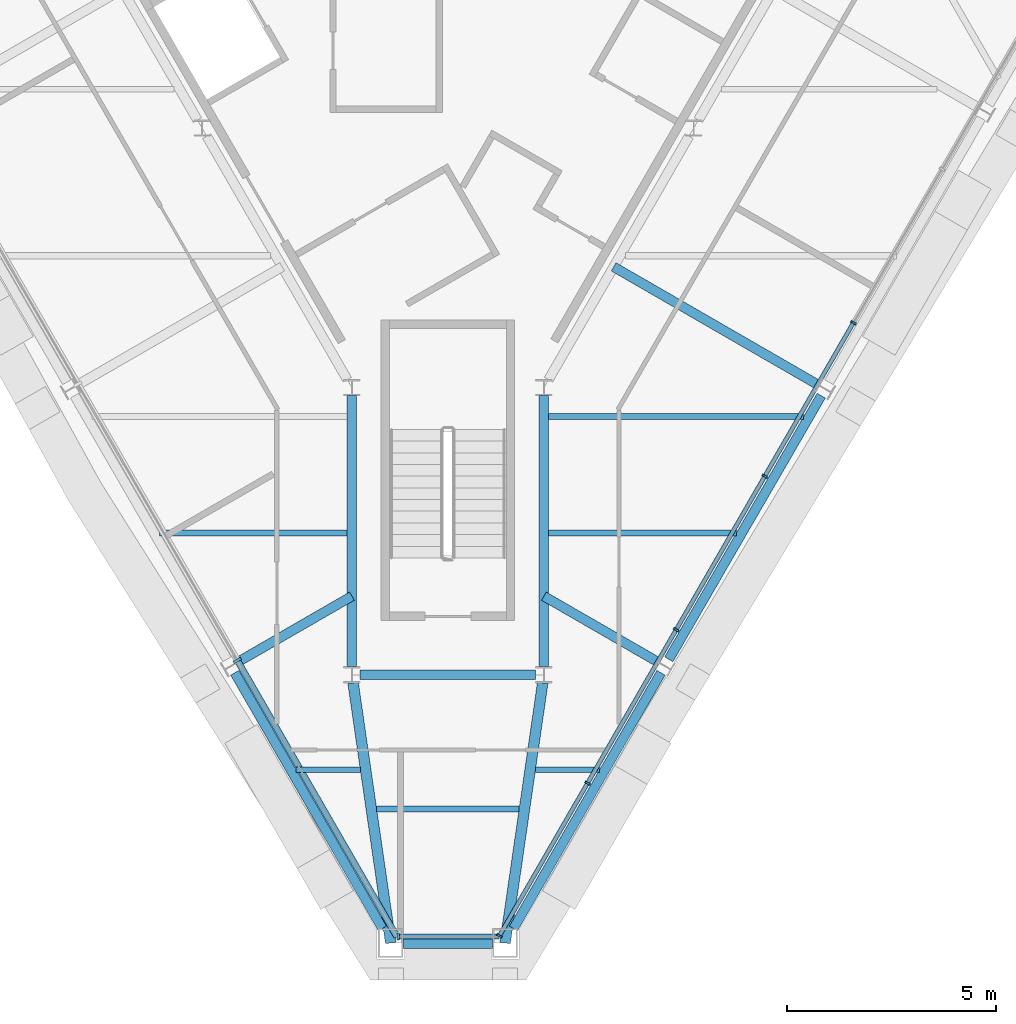
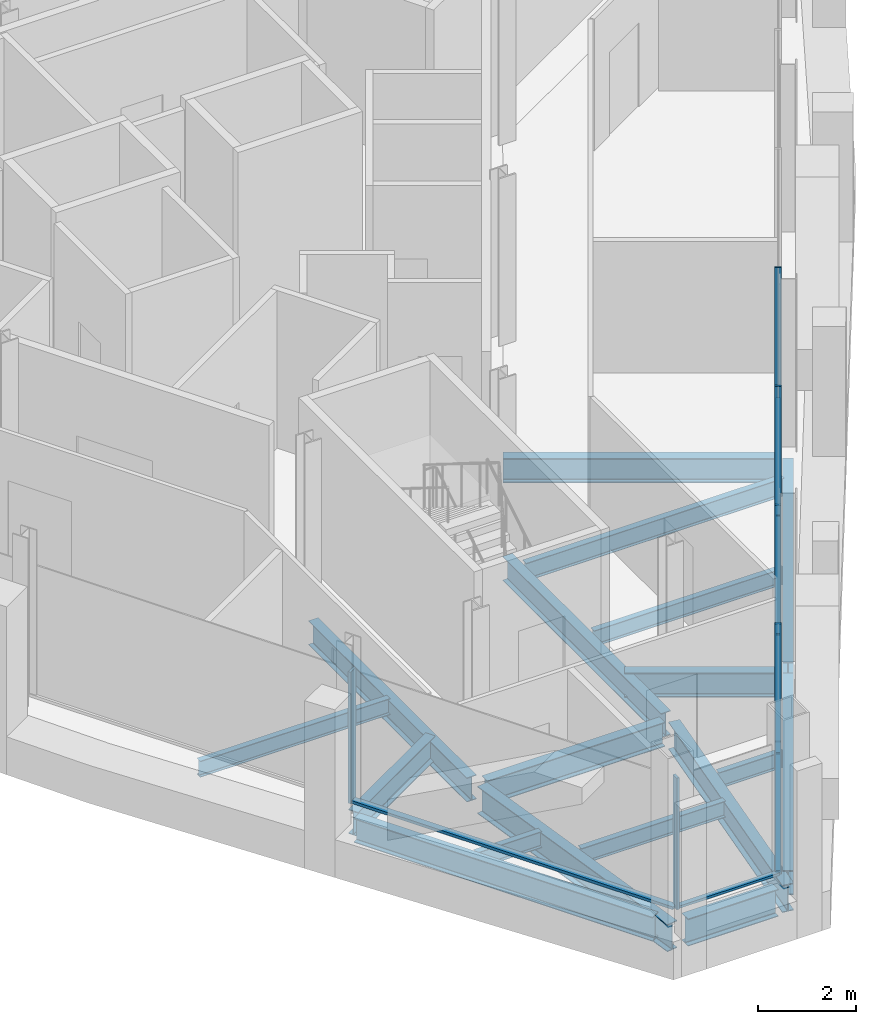
# One storey, part 3 of 13: 18 beams, 13 members, 3 elements without a shape of their own.
"""IFC4 building model written with IfcOpenShell, lengths in metres."""

from ifc_helpers import new_model, si_unit, direction, frame, origin, origin_2d, place, context, subcontext, project, spatial, rectangle, i_section, extrude, material, material_profile, profile_set, type_object, element, aggregate, save


model = new_model("IFC4")

# Units and contexts
model_context = context("Model", 3, precision=1e-05, world=origin(), true_north=direction((0.0, 1.0)))
body_context = subcontext(model_context, "Body", "Model", "MODEL_VIEW")
ifc_project = project(units=[si_unit("LENGTHUNIT", "METRE"), si_unit("AREAUNIT", "SQUARE_METRE"), si_unit("VOLUMEUNIT", "CUBIC_METRE"), si_unit("PLANEANGLEUNIT", "RADIAN"), si_unit("MASSUNIT", "GRAM", prefix="KILO")], contexts=[model_context])

# Site, building, storey
site_placement = place(None, origin())
site = spatial("IfcSite", under=ifc_project, at=site_placement, CompositionType="ELEMENT")
building_placement = place(site_placement, origin())
building = spatial("IfcBuilding", under=site, at=building_placement, Name="Verrane Prism Tower", CompositionType="ELEMENT")
storey_placement = place(building_placement, frame((0.0, 0.0, 316.800048828125)))
storey = spatial("IfcBuildingStorey", under=building, at=storey_placement, Name="L80", CompositionType="ELEMENT", Elevation=316.800048828125)

# Beams
ifc_material_1 = material(Name="Steel A992", Category="steel")
ifc_material_profile_1 = material_profile(ifc_material_1, i_section(OverallWidth=0.25390625, OverallDepth=0.683349609375, WebThickness=0.012451171875, FlangeThickness=0.01904296875, FilletRadius=0.01513671875, at=origin_2d()), Name="W27x94")
ifc_profile_set_1 = profile_set([ifc_material_profile_1], Name="Steel A992")
beam_type_1 = type_object("IfcBeamType", Name="Chamfer spandrel beam W27x94", PredefinedType="SPANDREL", material=ifc_profile_set_1)
beam_1_placement = place(storey_placement, frame((-1.070068359375, -22.929931640625, -0.501708984375), z_axis=(1.0, 0.0, 0.0), x_axis=(0.0, 1.0, 0.0)))
element("IfcBeam", 1, at=beam_1_placement, inside=storey, type_object=beam_type_1, Name="Chamfer spandrel beam L80", PredefinedType="SPANDREL", context=body_context, shape_type="SweptSolid", body=[
    extrude(i_section(OverallWidth=0.25390625, OverallDepth=0.683349609375, WebThickness=0.012451171875, FlangeThickness=0.01904296875, FilletRadius=0.01513671875, at=origin_2d()), origin(), (0.0, 0.0, 1.0), 2.14013671875),
])
ifc_material_2 = material(Name="Steel A992", Category="steel")
ifc_material_profile_2 = material_profile(ifc_material_2, i_section(OverallWidth=0.228271484375, OverallDepth=0.607177734375, WebThickness=0.01123046875, FlangeThickness=0.017333984375, FilletRadius=0.0126953125, at=origin_2d()), Name="W24x76")
ifc_profile_set_2 = profile_set([ifc_material_profile_2], Name="Steel A992")
beam_type_2 = type_object("IfcBeamType", Name="Core ring girder W24x76", PredefinedType="BEAM", material=ifc_profile_set_2)
beam_2_placement = place(storey_placement, frame((-2.300048828125, -9.81298828125, -0.553466796875), z_axis=(0.0, -1.0, 0.0), x_axis=(1.0, 0.0, 0.0)))
element("IfcBeam", 2, at=beam_2_placement, inside=storey, type_object=beam_type_2, Name="Core ring girder L80", PredefinedType="BEAM", context=body_context, shape_type="SweptSolid", body=[
    extrude(i_section(OverallWidth=0.228271484375, OverallDepth=0.607177734375, WebThickness=0.01123046875, FlangeThickness=0.017333984375, FilletRadius=0.0126953125, at=origin_2d()), origin(), (0.0, 0.0, 1.0), 6.493896484375),
])
beam_3_placement = place(storey_placement, frame((-2.1005859375, -16.5, -0.553466796875), z_axis=(1.0, 0.0, 0.0), x_axis=(0.0, 1.0, 0.0)))
element("IfcBeam", 3, at=beam_3_placement, inside=storey, type_object=beam_type_2, Name="Core ring girder L80", PredefinedType="BEAM", context=body_context, shape_type="SweptSolid", body=[
    extrude(i_section(OverallWidth=0.228271484375, OverallDepth=0.607177734375, WebThickness=0.01123046875, FlangeThickness=0.017333984375, FilletRadius=0.0126953125, at=origin_2d()), origin(), (0.0, 0.0, 1.0), 4.201171875),
])
beam_4_placement = place(storey_placement, frame((2.300048828125, -16.306884765625, -0.553466796875), z_axis=(0.0, 1.0, 0.0), x_axis=(-1.0, 0.0, 0.0)))
element("IfcBeam", 4, at=beam_4_placement, inside=storey, type_object=beam_type_2, Name="Core ring girder L80", PredefinedType="BEAM", context=body_context, shape_type="SweptSolid", body=[
    extrude(i_section(OverallWidth=0.228271484375, OverallDepth=0.607177734375, WebThickness=0.01123046875, FlangeThickness=0.017333984375, FilletRadius=0.0126953125, at=origin_2d()), origin(), (0.0, 0.0, 1.0), 6.493896484375),
])
ifc_material_3 = material(Name="Steel A992", Category="steel")
ifc_material_profile_3 = material_profile(ifc_material_3, i_section(OverallWidth=0.25390625, OverallDepth=0.683349609375, WebThickness=0.012451171875, FlangeThickness=0.01904296875, FilletRadius=0.01513671875, at=origin_2d()), Name="W27x94")
ifc_profile_set_3 = profile_set([ifc_material_profile_3], Name="Steel A992")
beam_type_3 = type_object("IfcBeamType", Name="Corner girder W27x94", PredefinedType="BEAM", material=ifc_profile_set_3)
beam_5_placement = place(storey_placement, frame((-1.37060546875, -22.926513671875, -0.561767578125), z_axis=(-0.143152302146, 0.989700671107, 0.0), x_axis=(-0.989700671107, -0.143152302146, 0.0)))
element("IfcBeam", 5, at=beam_5_placement, inside=storey, type_object=beam_type_3, Name="Corner girder L80", PredefinedType="BEAM", context=body_context, shape_type="SweptSolid", body=[
    extrude(i_section(OverallWidth=0.25390625, OverallDepth=0.683349609375, WebThickness=0.012451171875, FlangeThickness=0.01904296875, FilletRadius=0.01513671875, at=origin_2d()), origin(), (0.0, 0.0, 1.0), 6.29833984375),
])
beam_6_placement = place(storey_placement, frame((1.37060546875, -22.92626953125, -0.561767578125), z_axis=(0.143157794237, 0.989699876705, 0.0), x_axis=(-0.989699876705, 0.143157794237, 0.0)))
element("IfcBeam", 6, at=beam_6_placement, inside=storey, type_object=beam_type_3, Name="Corner girder L80", PredefinedType="BEAM", context=body_context, shape_type="SweptSolid", body=[
    extrude(i_section(OverallWidth=0.25390625, OverallDepth=0.683349609375, WebThickness=0.012451171875, FlangeThickness=0.01904296875, FilletRadius=0.01513671875, at=origin_2d()), origin(), (0.0, 0.0, 1.0), 6.298095703125),
])
ifc_material_4 = material(Name="Steel A992", Category="steel")
ifc_material_profile_4 = material_profile(ifc_material_4, i_section(OverallWidth=0.140380859375, OverallDepth=0.40380859375, WebThickness=0.007080078125, FlangeThickness=0.01123046875, FilletRadius=0.01025390625, at=origin_2d()), Name="W16x31")
ifc_profile_set_4 = profile_set([ifc_material_profile_4], Name="Steel A992")
beam_type_4 = type_object("IfcBeamType", Name="Floor beam W16x31", PredefinedType="BEAM", material=ifc_profile_set_4)
beam_7_placement = place(storey_placement, frame((-6.9130859375, -13.10009765625, -0.362060546875), z_axis=(1.0, 0.0, 0.0), x_axis=(0.0, 1.0, 0.0)))
element("IfcBeam", 7, at=beam_7_placement, inside=storey, type_object=beam_type_4, Name="Floor beam L80", PredefinedType="BEAM", context=body_context, shape_type="SweptSolid", body=[
    extrude(i_section(OverallWidth=0.140380859375, OverallDepth=0.40380859375, WebThickness=0.007080078125, FlangeThickness=0.01123046875, FilletRadius=0.01025390625, at=origin_2d()), origin(), (0.0, 0.0, 1.0), 4.4990234375),
])
for number, where, z_axis, x_axis, name in (
    (8, (-3.635009765625, -18.77490234375, -0.362060546875), (1.0, 0.0, 0.0), (0.0, 1.0, 0.0), "Floor beam L80"),
    (9, (2.099365234375, -18.77490234375, -0.362060546875), (1.0, 0.0, 0.0), (0.0, 1.0, 0.0), "Floor beam L80"),
):
    element("IfcBeam", number, at=place(storey_placement, frame(where, z_axis=z_axis, x_axis=x_axis)), inside=storey, type_object=beam_type_4, Name=name, PredefinedType="BEAM", context=body_context, shape_type="SweptSolid", body=[
        extrude(i_section(OverallWidth=0.140380859375, OverallDepth=0.40380859375, WebThickness=0.007080078125, FlangeThickness=0.01123046875, FilletRadius=0.01025390625, at=origin_2d()), origin(), (0.0, 0.0, 1.0), 1.53564453125),
    ])
beam_8_placement = place(storey_placement, frame((2.4140625, -13.10009765625, -0.362060546875), z_axis=(1.0, 0.0, 0.0), x_axis=(0.0, 1.0, 0.0)))
element("IfcBeam", 10, at=beam_8_placement, inside=storey, type_object=beam_type_4, Name="Floor beam L80", PredefinedType="BEAM", context=body_context, shape_type="SweptSolid", body=[
    extrude(i_section(OverallWidth=0.140380859375, OverallDepth=0.40380859375, WebThickness=0.007080078125, FlangeThickness=0.01123046875, FilletRadius=0.01025390625, at=origin_2d()), origin(), (0.0, 0.0, 1.0), 4.4990234375),
])
beam_9_placement = place(storey_placement, frame((-1.706787109375, -19.715087890625, -0.362060546875), z_axis=(1.0, 0.0, 0.0), x_axis=(0.0, 1.0, 0.0)))
element("IfcBeam", 11, at=beam_9_placement, inside=storey, type_object=beam_type_4, Name="Floor beam L80", PredefinedType="BEAM", context=body_context, shape_type="SweptSolid", body=[
    extrude(i_section(OverallWidth=0.140380859375, OverallDepth=0.40380859375, WebThickness=0.007080078125, FlangeThickness=0.01123046875, FilletRadius=0.01025390625, at=origin_2d()), origin(), (0.0, 0.0, 1.0), 3.41357421875),
])
ifc_material_5 = material(Name="Steel A992", Category="steel")
ifc_material_profile_5 = material_profile(ifc_material_5, i_section(OverallWidth=0.15234375, OverallDepth=0.449462890625, WebThickness=0.007568359375, FlangeThickness=0.0107421875, FilletRadius=0.01025390625, at=origin_2d()), Name="W18x35")
ifc_profile_set_5 = profile_set([ifc_material_profile_5], Name="Steel A992")
beam_type_5 = type_object("IfcBeamType", Name="Floor beam W18x35", PredefinedType="BEAM", material=ifc_profile_set_5)
beam_10_placement = place(storey_placement, frame((2.4140625, -10.31005859375, -0.384765625), z_axis=(1.0, 0.0, 0.0), x_axis=(0.0, 1.0, 0.0)))
element("IfcBeam", 12, at=beam_10_placement, inside=storey, type_object=beam_type_5, Name="Floor beam L80", PredefinedType="BEAM", context=body_context, shape_type="SweptSolid", body=[
    extrude(i_section(OverallWidth=0.15234375, OverallDepth=0.449462890625, WebThickness=0.007568359375, FlangeThickness=0.0107421875, FilletRadius=0.01025390625, at=origin_2d()), origin(), (0.0, 0.0, 1.0), 6.112548828125),
])

# Curtain wall, members
ifc_material_6 = material(Name="Aluminium framed insulated glazing", Category="aluminium")
curtain_wall_type_1 = type_object("IfcCurtainWallType", Name="Curtain wall CW-C 4200 module", PredefinedType="NOTDEFINED", material=ifc_material_6)
curtain_wall_1_placement = place(storey_placement, origin())
curtain_wall_1 = element("IfcCurtainWall", 13, at=curtain_wall_1_placement, inside=storey, type_object=curtain_wall_type_1, Name="Glazed curtain wall south-east face L80", PredefinedType="NOTDEFINED")
ifc_material_7 = material(Name="Aluminium alloy 6063-T6", Category="aluminium")
ifc_material_profile_6 = material_profile(ifc_material_7, rectangle(XDim=0.139892578125, YDim=0.050048828125, at=origin_2d()), Name="Mullion 50x140 aluminium")
ifc_profile_set_6 = profile_set([ifc_material_profile_6], Name="Aluminium alloy 6063-T6")
member_type_1 = type_object("IfcMemberType", Name="Mullion 50x140 aluminium", PredefinedType="MULLION", material=ifc_profile_set_6)
member_1_placement = place(storey_placement, frame((1.235107421875, -22.755126953125, 0.0), z_axis=(0.0, 0.0, 1.0), x_axis=(-0.866025278644, 0.500000216749, 0.0)))
member_1 = element("IfcMember", 14, at=member_1_placement, type_object=member_type_1, Name="CW80.6 mullion 1", PredefinedType="MULLION", context=body_context, shape_type="SweptSolid", body=[
    extrude(rectangle(XDim=0.139892578125, YDim=0.050048828125, at=origin_2d()), origin(), (0.0, 0.0, 1.0), 3.296630859375),
])
member_2_placement = place(storey_placement, frame((3.346435546875, -19.098388671875, 0.0), z_axis=(0.0, 0.0, 1.0), x_axis=(-0.866025278644, 0.500000216749, 0.0)))
member_2 = element("IfcMember", 15, at=member_2_placement, type_object=member_type_1, Name="CW80.6 mullion 2", PredefinedType="MULLION", context=body_context, shape_type="SweptSolid", body=[
    extrude(rectangle(XDim=0.139892578125, YDim=0.050048828125, at=origin_2d()), origin(), (0.0, 0.0, 1.0), 3.296630859375),
])
member_3_placement = place(storey_placement, frame((5.47021484375, -15.419921875, 0.0), z_axis=(0.0, 0.0, 1.0), x_axis=(-0.866025278644, 0.500000216749, 0.0)))
member_3 = element("IfcMember", 16, at=member_3_placement, type_object=member_type_1, Name="CW80.6 mullion 3", PredefinedType="MULLION", context=body_context, shape_type="SweptSolid", body=[
    extrude(rectangle(XDim=0.139892578125, YDim=0.050048828125, at=origin_2d()), origin(), (0.0, 0.0, 1.0), 3.296630859375),
])
member_4_placement = place(storey_placement, frame((7.593994140625, -11.741455078125, 0.0), z_axis=(0.0, 0.0, 1.0), x_axis=(-0.866025278644, 0.500000216749, 0.0)))
member_4 = element("IfcMember", 17, at=member_4_placement, type_object=member_type_1, Name="CW80.6 mullion 4", PredefinedType="MULLION", context=body_context, shape_type="SweptSolid", body=[
    extrude(rectangle(XDim=0.139892578125, YDim=0.050048828125, at=origin_2d()), origin(), (0.0, 0.0, 1.0), 3.296630859375),
])
member_5_placement = place(storey_placement, frame((9.7177734375, -8.062744140625, 0.0), z_axis=(0.0, 0.0, 1.0), x_axis=(-0.866025278644, 0.500000216749, 0.0)))
member_5 = element("IfcMember", 18, at=member_5_placement, type_object=member_type_1, Name="CW80.6 mullion 5", PredefinedType="MULLION", context=body_context, shape_type="SweptSolid", body=[
    extrude(rectangle(XDim=0.139892578125, YDim=0.050048828125, at=origin_2d()), origin(), (0.0, 0.0, 1.0), 3.296630859375),
])

# Curtain wall, member
ifc_material_8 = material(Name="Aluminium framed insulated glazing", Category="aluminium")
curtain_wall_type_2 = type_object("IfcCurtainWallType", Name="Curtain wall CW-B 5600 module", PredefinedType="NOTDEFINED", material=ifc_material_8)
curtain_wall_2_placement = place(storey_placement, origin())
curtain_wall_2 = element("IfcCurtainWall", 19, at=curtain_wall_2_placement, inside=storey, type_object=curtain_wall_type_2, Name="Glazed curtain wall south corner L80", PredefinedType="NOTDEFINED")
ifc_material_9 = material(Name="Aluminium alloy 6063-T6", Category="aluminium")
ifc_material_profile_7 = material_profile(ifc_material_9, rectangle(XDim=0.159912109375, YDim=0.06005859375, at=origin_2d()), Name="Mullion 60x160 aluminium")
ifc_profile_set_7 = profile_set([ifc_material_profile_7], Name="Aluminium alloy 6063-T6")
member_type_2 = type_object("IfcMemberType", Name="Mullion 60x160 aluminium", PredefinedType="MULLION", material=ifc_profile_set_7)
member_6_placement = place(storey_placement, frame((-1.192626953125, -22.77685546875, 0.0), z_axis=(0.0, 0.0, 1.0), x_axis=(0.0, 1.0, 0.0)))
member_6 = element("IfcMember", 20, at=member_6_placement, type_object=member_type_2, Name="CW80.5 mullion 1", PredefinedType="MULLION", context=body_context, shape_type="SweptSolid", body=[
    extrude(rectangle(XDim=0.159912109375, YDim=0.06005859375, at=origin_2d()), origin(), (0.0, 0.0, 1.0), 3.296630859375),
])

ifc_material_10 = material(Name="Aluminium framed insulated glazing", Category="aluminium")
curtain_wall_type_3 = type_object("IfcCurtainWallType", Name="Curtain wall CW-A 8400 module", PredefinedType="NOTDEFINED", material=ifc_material_10)
curtain_wall_3_placement = place(storey_placement, origin())
curtain_wall_3 = element("IfcCurtainWall", 21, at=curtain_wall_3_placement, inside=storey, type_object=curtain_wall_type_3, Name="Glazed curtain wall south-west face L80", PredefinedType="NOTDEFINED")
ifc_material_11 = material(Name="Aluminium alloy 6063-T6", Category="aluminium")
ifc_material_profile_8 = material_profile(ifc_material_11, rectangle(XDim=0.199951171875, YDim=0.070068359375, at=origin_2d()), Name="Mullion 70x200 aluminium")
ifc_profile_set_8 = profile_set([ifc_material_profile_8], Name="Aluminium alloy 6063-T6")
member_type_3 = type_object("IfcMemberType", Name="Mullion 70x200 aluminium", PredefinedType="MULLION", material=ifc_profile_set_8)
member_7_placement = place(storey_placement, frame((-5.04541015625, -16.155517578125, 0.0), z_axis=(0.0, 0.0, 1.0), x_axis=(0.866025278644, 0.500000216749, 0.0)))
member_7 = element("IfcMember", 22, at=member_7_placement, type_object=member_type_3, Name="CW80.4 mullion 5", PredefinedType="MULLION", context=body_context, shape_type="SweptSolid", body=[
    extrude(rectangle(XDim=0.199951171875, YDim=0.070068359375, at=origin_2d()), origin(), (0.0, 0.0, 1.0), 3.296630859375),
])

# Beams
ifc_material_12 = material(Name="Steel A992", Category="steel")
ifc_material_profile_9 = material_profile(ifc_material_12, i_section(OverallWidth=0.228271484375, OverallDepth=0.607177734375, WebThickness=0.01123046875, FlangeThickness=0.017333984375, FilletRadius=0.0126953125, at=origin_2d()), Name="W24x76")
ifc_profile_set_9 = profile_set([ifc_material_profile_9], Name="Steel A992")
beam_type_6 = type_object("IfcBeamType", Name="Radial girder W24x76", PredefinedType="BEAM", material=ifc_profile_set_9)
for number, where, z_axis, x_axis, name in (
    (23, (-5.04052734375, -16.197998046875, -0.5234375), (0.866017278078, 0.500014073873, 0.0), (-0.500014073873, 0.866017278078, 0.0), "Radial girder L80"),
    (24, (5.04052734375, -16.197998046875, -0.5234375), (-0.866017278078, 0.500014073873, 0.0), (-0.500014073873, -0.866017278078, 0.0), "Radial girder L80"),
):
    element("IfcBeam", number, at=place(storey_placement, frame(where, z_axis=z_axis, x_axis=x_axis)), inside=storey, type_object=beam_type_6, Name=name, PredefinedType="BEAM", context=body_context, shape_type="SweptSolid", body=[
        extrude(i_section(OverallWidth=0.228271484375, OverallDepth=0.607177734375, WebThickness=0.01123046875, FlangeThickness=0.017333984375, FilletRadius=0.0126953125, at=origin_2d()), origin(), (0.0, 0.0, 1.0), 3.16455078125),
    ])
beam_11_placement = place(storey_placement, frame((8.880615234375, -9.557861328125, -0.5234375), z_axis=(-0.866039985572, 0.499974742752, 0.0), x_axis=(-0.499974742752, -0.866039985572, 0.0)))
element("IfcBeam", 25, at=beam_11_placement, inside=storey, type_object=beam_type_6, Name="Radial girder L80", PredefinedType="BEAM", context=body_context, shape_type="SweptSolid", body=[
    extrude(i_section(OverallWidth=0.228271484375, OverallDepth=0.607177734375, WebThickness=0.01123046875, FlangeThickness=0.017333984375, FilletRadius=0.0126953125, at=origin_2d()), origin(), (0.0, 0.0, 1.0), 5.668212890625),
])
ifc_material_13 = material(Name="Steel A992", Category="steel")
ifc_material_profile_10 = material_profile(ifc_material_13, i_section(OverallWidth=0.228271484375, OverallDepth=0.607177734375, WebThickness=0.01123046875, FlangeThickness=0.017333984375, FilletRadius=0.0126953125, at=origin_2d()), Name="W24x76")
ifc_profile_set_10 = profile_set([ifc_material_profile_10], Name="Steel A992")
beam_type_7 = type_object("IfcBeamType", Name="Spandrel beam W24x76", PredefinedType="SPANDREL", material=ifc_profile_set_10)
for number, where, z_axis, x_axis, name in (
    (26, (-5.106689453125, -16.45166015625, -0.463623046875), (0.49962087648, -0.866244180232, 0.0), (0.866244180232, 0.49962087648, 0.0), "Spandrel beam L80"),
    (27, (1.572021484375, -22.580078125, -0.463623046875), (0.49962087648, 0.866244180232, 0.0), (-0.866244180232, 0.49962087648, 0.0), "Spandrel beam L80"),
):
    element("IfcBeam", number, at=place(storey_placement, frame(where, z_axis=z_axis, x_axis=x_axis)), inside=storey, type_object=beam_type_7, Name=name, PredefinedType="SPANDREL", context=body_context, shape_type="SweptSolid", body=[
        extrude(i_section(OverallWidth=0.228271484375, OverallDepth=0.607177734375, WebThickness=0.01123046875, FlangeThickness=0.017333984375, FilletRadius=0.0126953125, at=origin_2d()), origin(), (0.0, 0.0, 1.0), 7.07470703125),
    ])
beam_12_placement = place(storey_placement, frame((5.29345703125, -16.12841796875, -0.463623046875), z_axis=(0.50061813753, 0.865668227658, 0.0), x_axis=(-0.865668227658, 0.50061813753, 0.0)))
element("IfcBeam", 28, at=beam_12_placement, inside=storey, type_object=beam_type_7, Name="Spandrel beam L80", PredefinedType="SPANDREL", context=body_context, shape_type="SweptSolid", body=[
    extrude(i_section(OverallWidth=0.228271484375, OverallDepth=0.607177734375, WebThickness=0.01123046875, FlangeThickness=0.017333984375, FilletRadius=0.0126953125, at=origin_2d()), origin(), (0.0, 0.0, 1.0), 7.297119140625),
])

# Member
ifc_material_14 = material(Name="Aluminium alloy 6063-T6", Category="aluminium")
ifc_material_profile_11 = material_profile(ifc_material_14, rectangle(XDim=0.10009765625, YDim=0.050048828125, at=origin_2d()), Name="Transom 50x100 aluminium")
ifc_profile_set_11 = profile_set([ifc_material_profile_11], Name="Aluminium alloy 6063-T6")
member_type_4 = type_object("IfcMemberType", Name="Transom 50x100 aluminium", PredefinedType="USERDEFINED", material=ifc_profile_set_11)
member_8_placement = place(storey_placement, frame((1.24755859375, -22.7333984375, 0.02490234375), z_axis=(0.500028026075, 0.866009222318, 0.0), x_axis=(-0.866009222318, 0.500028026075, 0.0)))
member_8 = element("IfcMember", 29, at=member_8_placement, type_object=member_type_4, Name="CW80.6 transom 1", ObjectType="TRANSOM", PredefinedType="USERDEFINED", context=body_context, shape_type="SweptSolid", body=[
    extrude(rectangle(XDim=0.10009765625, YDim=0.050048828125, at=origin_2d()), origin(), (0.0, 0.0, 1.0), 4.172607421875),
])

member_9_placement = place(storey_placement, frame((3.35888671875, -19.07666015625, 0.02490234375), z_axis=(0.500011101102, 0.866018994465, 0.0), x_axis=(-0.866018994465, 0.500011101102, 0.0)))
member_9 = element("IfcMember", 30, at=member_9_placement, type_object=member_type_4, Name="CW80.6 transom 2", ObjectType="TRANSOM", PredefinedType="USERDEFINED", context=body_context, shape_type="SweptSolid", body=[
    extrude(rectangle(XDim=0.10009765625, YDim=0.050048828125, at=origin_2d()), origin(), (0.0, 0.0, 1.0), 4.19775390625),
])

member_10_placement = place(storey_placement, frame((5.482666015625, -15.398193359375, 0.02490234375), z_axis=(0.500011101102, 0.866018994465, 0.0), x_axis=(-0.866018994465, 0.500011101102, 0.0)))
member_10 = element("IfcMember", 31, at=member_10_placement, type_object=member_type_4, Name="CW80.6 transom 3", ObjectType="TRANSOM", PredefinedType="USERDEFINED", context=body_context, shape_type="SweptSolid", body=[
    extrude(rectangle(XDim=0.10009765625, YDim=0.050048828125, at=origin_2d()), origin(), (0.0, 0.0, 1.0), 4.19775390625),
])

member_11_placement = place(storey_placement, frame((7.6064453125, -11.7197265625, 0.02490234375), z_axis=(0.500011101102, 0.866018994465, 0.0), x_axis=(-0.866018994465, 0.500011101102, 0.0)))
member_11 = element("IfcMember", 32, at=member_11_placement, type_object=member_type_4, Name="CW80.6 transom 4", ObjectType="TRANSOM", PredefinedType="USERDEFINED", context=body_context, shape_type="SweptSolid", body=[
    extrude(rectangle(XDim=0.10009765625, YDim=0.050048828125, at=origin_2d()), origin(), (0.0, 0.0, 1.0), 4.19775390625),
])

aggregate(curtain_wall_1, [member_1, member_2, member_3, member_4, member_5, member_8, member_9, member_10, member_11])

ifc_material_15 = material(Name="Aluminium alloy 6063-T6", Category="aluminium")
ifc_material_profile_12 = material_profile(ifc_material_15, rectangle(XDim=0.1201171875, YDim=0.06005859375, at=origin_2d()), Name="Transom 60x120 aluminium")
ifc_profile_set_12 = profile_set([ifc_material_profile_12], Name="Aluminium alloy 6063-T6")
member_type_5 = type_object("IfcMemberType", Name="Transom 60x120 aluminium", PredefinedType="USERDEFINED", material=ifc_profile_set_12)
member_12_placement = place(storey_placement, frame((-1.16259765625, -22.77685546875, 0.030029296875), z_axis=(1.0, 0.0, 0.0), x_axis=(0.0, 1.0, 0.0)))
member_12 = element("IfcMember", 33, at=member_12_placement, type_object=member_type_5, Name="CW80.5 transom 1", ObjectType="TRANSOM", PredefinedType="USERDEFINED", context=body_context, shape_type="SweptSolid", body=[
    extrude(rectangle(XDim=0.1201171875, YDim=0.06005859375, at=origin_2d()), origin(), (0.0, 0.0, 1.0), 2.38525390625),
])

aggregate(curtain_wall_2, [member_6, member_12])

ifc_material_16 = material(Name="Aluminium alloy 6063-T6", Category="aluminium")
ifc_material_profile_13 = material_profile(ifc_material_16, rectangle(XDim=0.14990234375, YDim=0.070068359375, at=origin_2d()), Name="Transom 70x150 aluminium")
ifc_profile_set_13 = profile_set([ifc_material_profile_13], Name="Aluminium alloy 6063-T6")
member_type_6 = type_object("IfcMemberType", Name="Transom 70x150 aluminium", PredefinedType="USERDEFINED", material=ifc_profile_set_13)
member_13_placement = place(storey_placement, frame((-5.02783203125, -16.185791015625, 0.034912109375), z_axis=(0.49998255174, -0.866035477308, 0.0), x_axis=(0.866035477308, 0.49998255174, 0.0)))
member_13 = element("IfcMember", 34, at=member_13_placement, type_object=member_type_6, Name="CW80.4 transom 5", ObjectType="TRANSOM", PredefinedType="USERDEFINED", context=body_context, shape_type="SweptSolid", body=[
    extrude(rectangle(XDim=0.14990234375, YDim=0.070068359375, at=origin_2d()), origin(), (0.0, 0.0, 1.0), 7.610595703125),
])

aggregate(curtain_wall_3, [member_7, member_13])

save(model, "model.ifc")
